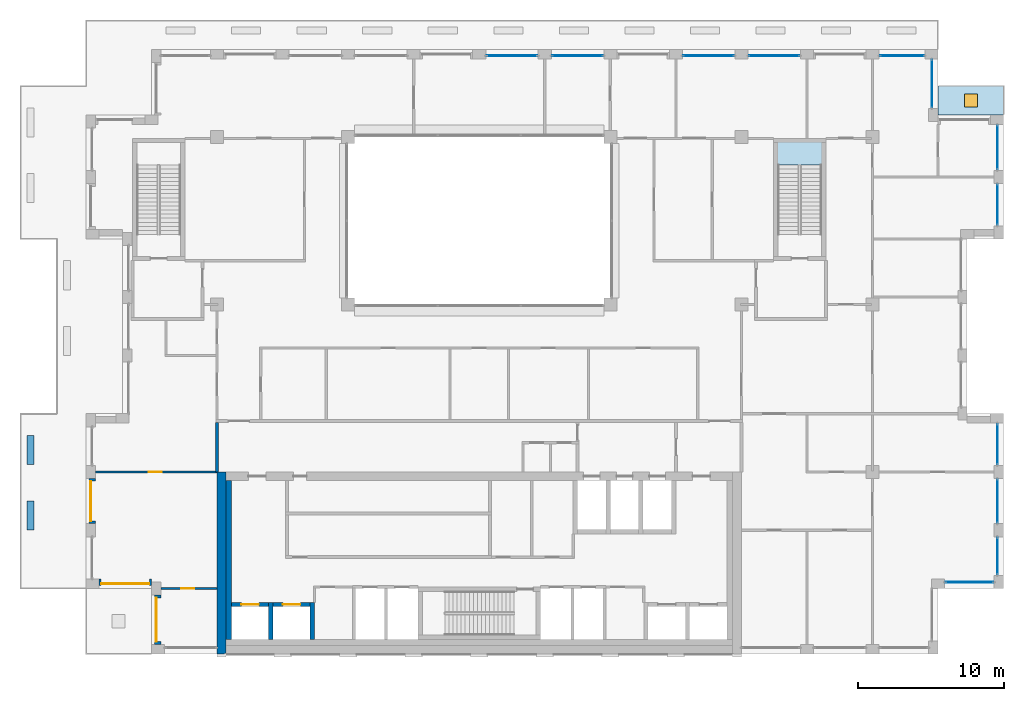
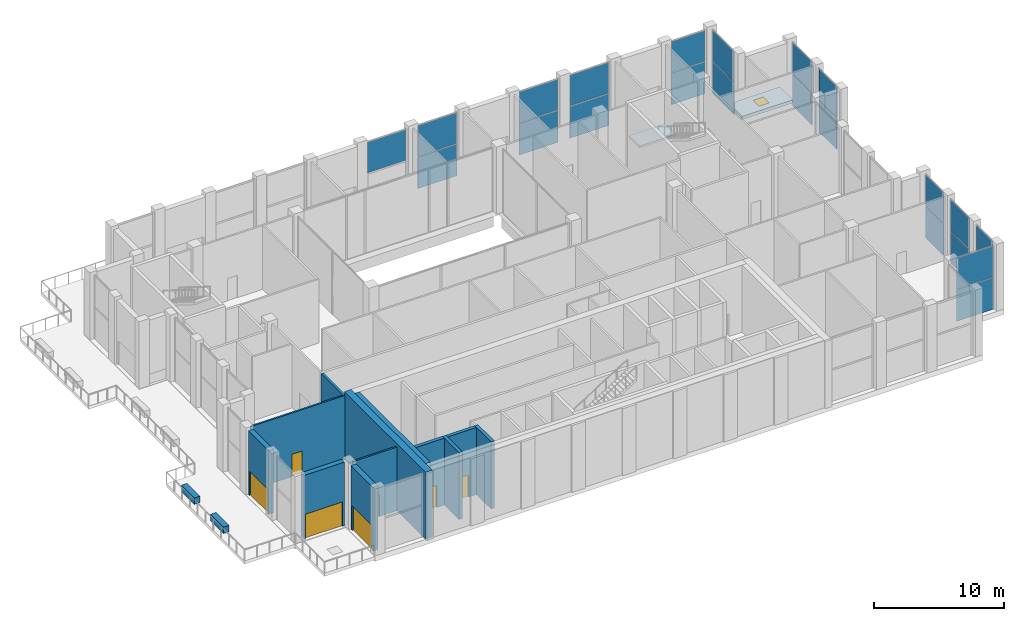
# One storey, part 11 of 18: 23 plates, 14 walls, 7 doors, 2 slabs, 1 window, 8 openings, 13 elements without a shape of their own.
"""IFC4 building model written with IfcOpenShell, lengths in metres."""

from ifc_helpers import new_model, si_unit, direction, frame, frame_2d, origin, origin_2d, place, context, subcontext, project, spatial, polyline, rectangle, outline, extrude, material, layer, layer_set, type_object, element, fill, aggregate, save


model = new_model("IFC4")

# Units and contexts
model_context = context("Model", 3, precision=1e-05, world=origin(), true_north=direction((0.0, 1.0)))
body_context = subcontext(model_context, "Body", "Model", "MODEL_VIEW")
ifc_project = project(units=[si_unit("LENGTHUNIT", "METRE"), si_unit("AREAUNIT", "SQUARE_METRE"), si_unit("VOLUMEUNIT", "CUBIC_METRE"), si_unit("PLANEANGLEUNIT", "RADIAN"), si_unit("MASSUNIT", "GRAM", prefix="KILO")], contexts=[model_context])

# Site, building, storey
site_placement = place(None, origin())
site = spatial("IfcSite", under=ifc_project, at=site_placement, CompositionType="ELEMENT")
building_placement = place(site_placement, origin())
building = spatial("IfcBuilding", under=site, at=building_placement, Name="Brigalow Station Residences", CompositionType="ELEMENT")
storey_placement = place(building_placement, frame((0.0, 0.0, 191.699951171875)))
storey = spatial("IfcBuildingStorey", under=building, at=storey_placement, Name="L55", CompositionType="ELEMENT", Elevation=191.699951171875)

# Curtain wall, plates
ifc_material_1 = material(Name="Aluminium", Category="aluminium")
ifc_layer_1 = layer(ifc_material_1, 0.199951171875)
ifc_layer_set_1 = layer_set([ifc_layer_1], Name="SKY FLOOR GLAZING CURTAIN WALL")
curtain_wall_type = type_object("IfcCurtainWallType", Name="SKY FLOOR GLAZING CURTAIN WALL", PredefinedType="NOTDEFINED", material=ifc_layer_set_1)
curtain_wall_1_placement = place(storey_placement, origin())
curtain_wall_1 = element("IfcCurtainWall", 1, at=curtain_wall_1_placement, inside=storey, type_object=curtain_wall_type, Name="L55/cw/W-L55-7", PredefinedType="NOTDEFINED")
ifc_material_2 = material(Name="Laminated low-emissivity double-glazed unit")
ifc_layer_2 = layer(ifc_material_2, 0.050048828125)
ifc_layer_set_2 = layer_set([ifc_layer_2], Name="SKY FLOOR GLAZING PANEL 50")
plate_type = type_object("IfcPlateType", Name="SKY FLOOR GLAZING PANEL 50", PredefinedType="CURTAIN_PANEL", material=ifc_layer_set_2)
plate_1_placement = place(storey_placement, frame((69.64990234375, 4.925048828125, 0.0), z_axis=(0.0, 0.0, 1.0), x_axis=(1.0, 0.0, 0.0)))
plate_1 = element("IfcPlate", 2, at=plate_1_placement, type_object=plate_type, Name="L55/cw/W-L55-7/P00-00", PredefinedType="CURTAIN_PANEL", context=body_context, shape_type="SweptSolid", body=[
    extrude(rectangle(XDim=3.260009765625, YDim=0.050048828125, at=origin_2d()), origin(), (0.0, 0.0, 1.0), 2.955078125),
])
plate_2_placement = place(storey_placement, frame((69.64990234375, 4.925048828125, 3.02490234375), z_axis=(0.0, 0.0, 1.0), x_axis=(1.0, 0.0, 0.0)))
plate_2 = element("IfcPlate", 3, at=plate_2_placement, type_object=plate_type, Name="L55/cw/W-L55-7/P00-01", PredefinedType="CURTAIN_PANEL", context=body_context, shape_type="SweptSolid", body=[
    extrude(rectangle(XDim=3.260009765625, YDim=0.050048828125, at=origin_2d()), origin(), (0.0, 0.0, 1.0), 2.885009765625),
])
aggregate(curtain_wall_1, [plate_1, plate_2])

curtain_wall_2_placement = place(storey_placement, origin())
curtain_wall_2 = element("IfcCurtainWall", 4, at=curtain_wall_2_placement, inside=storey, type_object=curtain_wall_type, Name="L55/cw/W-L55-8", PredefinedType="NOTDEFINED")
plate_3_placement = place(storey_placement, frame((71.574951171875, 6.72509765625, 0.0), z_axis=(0.0, 0.0, 1.0), x_axis=(0.0, 1.0, 0.0)))
plate_3 = element("IfcPlate", 5, at=plate_3_placement, type_object=plate_type, Name="L55/cw/W-L55-8/P00-00", PredefinedType="CURTAIN_PANEL", context=body_context, shape_type="SweptSolid", body=[
    extrude(rectangle(XDim=2.510009765625, YDim=0.050048828125, at=origin_2d()), origin(), (0.0, 0.0, 1.0), 2.955078125),
])
plate_4_placement = place(storey_placement, frame((71.574951171875, 6.72509765625, 3.02490234375), z_axis=(0.0, 0.0, 1.0), x_axis=(0.0, 1.0, 0.0)))
plate_4 = element("IfcPlate", 6, at=plate_4_placement, type_object=plate_type, Name="L55/cw/W-L55-8/P00-01", PredefinedType="CURTAIN_PANEL", context=body_context, shape_type="SweptSolid", body=[
    extrude(rectangle(XDim=2.510009765625, YDim=0.050048828125, at=origin_2d()), origin(), (0.0, 0.0, 1.0), 2.885009765625),
])
aggregate(curtain_wall_2, [plate_3, plate_4])

curtain_wall_3_placement = place(storey_placement, origin())
curtain_wall_3 = element("IfcCurtainWall", 7, at=curtain_wall_3_placement, inside=storey, type_object=curtain_wall_type, Name="L55/cw/W-L55-9", PredefinedType="NOTDEFINED")
plate_5_placement = place(storey_placement, frame((71.574951171875, 10.5, 0.0), z_axis=(0.0, 0.0, 1.0), x_axis=(0.0, 1.0, 0.0)))
plate_5 = element("IfcPlate", 8, at=plate_5_placement, type_object=plate_type, Name="L55/cw/W-L55-9/P00-00", PredefinedType="CURTAIN_PANEL", context=body_context, shape_type="SweptSolid", body=[
    extrude(rectangle(XDim=2.9599609375, YDim=0.050048828125, at=origin_2d()), origin(), (0.0, 0.0, 1.0), 2.955078125),
])
plate_6_placement = place(storey_placement, frame((71.574951171875, 10.5, 3.02490234375), z_axis=(0.0, 0.0, 1.0), x_axis=(0.0, 1.0, 0.0)))
plate_6 = element("IfcPlate", 9, at=plate_6_placement, type_object=plate_type, Name="L55/cw/W-L55-9/P00-01", PredefinedType="CURTAIN_PANEL", context=body_context, shape_type="SweptSolid", body=[
    extrude(rectangle(XDim=2.9599609375, YDim=0.050048828125, at=origin_2d()), origin(), (0.0, 0.0, 1.0), 2.885009765625),
])
aggregate(curtain_wall_3, [plate_5, plate_6])

curtain_wall_4_placement = place(storey_placement, origin())
curtain_wall_4 = element("IfcCurtainWall", 10, at=curtain_wall_4_placement, inside=storey, type_object=curtain_wall_type, Name="L55/cw/W-L55-10", PredefinedType="NOTDEFINED")
plate_7_placement = place(storey_placement, frame((71.574951171875, 14.39990234375, 0.0), z_axis=(0.0, 0.0, 1.0), x_axis=(0.0, 1.0, 0.0)))
plate_7 = element("IfcPlate", 11, at=plate_7_placement, type_object=plate_type, Name="L55/cw/W-L55-10/P00-00", PredefinedType="CURTAIN_PANEL", context=body_context, shape_type="SweptSolid", body=[
    extrude(rectangle(XDim=2.760009765625, YDim=0.050048828125, at=origin_2d()), origin(), (0.0, 0.0, 1.0), 2.955078125),
])
plate_8_placement = place(storey_placement, frame((71.574951171875, 14.39990234375, 3.02490234375), z_axis=(0.0, 0.0, 1.0), x_axis=(0.0, 1.0, 0.0)))
plate_8 = element("IfcPlate", 12, at=plate_8_placement, type_object=plate_type, Name="L55/cw/W-L55-10/P00-01", PredefinedType="CURTAIN_PANEL", context=body_context, shape_type="SweptSolid", body=[
    extrude(rectangle(XDim=2.760009765625, YDim=0.050048828125, at=origin_2d()), origin(), (0.0, 0.0, 1.0), 2.885009765625),
])
aggregate(curtain_wall_4, [plate_7, plate_8])

curtain_wall_5_placement = place(storey_placement, origin())
curtain_wall_5 = element("IfcCurtainWall", 13, at=curtain_wall_5_placement, inside=storey, type_object=curtain_wall_type, Name="L55/cw/W-L55-16", PredefinedType="NOTDEFINED")
plate_9_placement = place(storey_placement, frame((71.574951171875, 30.85009765625, 0.0), z_axis=(0.0, 0.0, 1.0), x_axis=(0.0, 1.0, 0.0)))
plate_9 = element("IfcPlate", 14, at=plate_9_placement, type_object=plate_type, Name="L55/cw/W-L55-16/P00-00", PredefinedType="CURTAIN_PANEL", context=body_context, shape_type="SweptSolid", body=[
    extrude(rectangle(XDim=2.760009765625, YDim=0.050048828125, at=origin_2d()), origin(), (0.0, 0.0, 1.0), 2.955078125),
])
plate_10_placement = place(storey_placement, frame((71.574951171875, 30.85009765625, 3.02490234375), z_axis=(0.0, 0.0, 1.0), x_axis=(0.0, 1.0, 0.0)))
plate_10 = element("IfcPlate", 15, at=plate_10_placement, type_object=plate_type, Name="L55/cw/W-L55-16/P00-01", PredefinedType="CURTAIN_PANEL", context=body_context, shape_type="SweptSolid", body=[
    extrude(rectangle(XDim=2.760009765625, YDim=0.050048828125, at=origin_2d()), origin(), (0.0, 0.0, 1.0), 2.885009765625),
])
aggregate(curtain_wall_5, [plate_9, plate_10])

curtain_wall_6_placement = place(storey_placement, origin())
curtain_wall_6 = element("IfcCurtainWall", 16, at=curtain_wall_6_placement, inside=storey, type_object=curtain_wall_type, Name="L55/cw/W-L55-17", PredefinedType="NOTDEFINED")
plate_11_placement = place(storey_placement, frame((71.574951171875, 34.77490234375, 0.0), z_axis=(0.0, 0.0, 1.0), x_axis=(0.0, 1.0, 0.0)))
plate_11 = element("IfcPlate", 17, at=plate_11_placement, type_object=plate_type, Name="L55/cw/W-L55-17/P00-00", PredefinedType="CURTAIN_PANEL", context=body_context, shape_type="SweptSolid", body=[
    extrude(rectangle(XDim=3.010009765625, YDim=0.050048828125, at=origin_2d()), origin(), (0.0, 0.0, 1.0), 2.955078125),
])
plate_12_placement = place(storey_placement, frame((71.574951171875, 34.77490234375, 3.02490234375), z_axis=(0.0, 0.0, 1.0), x_axis=(0.0, 1.0, 0.0)))
plate_12 = element("IfcPlate", 18, at=plate_12_placement, type_object=plate_type, Name="L55/cw/W-L55-17/P00-01", PredefinedType="CURTAIN_PANEL", context=body_context, shape_type="SweptSolid", body=[
    extrude(rectangle(XDim=3.010009765625, YDim=0.050048828125, at=origin_2d()), origin(), (0.0, 0.0, 1.0), 2.885009765625),
])
aggregate(curtain_wall_6, [plate_11, plate_12])

curtain_wall_7_placement = place(storey_placement, origin())
curtain_wall_7 = element("IfcCurtainWall", 19, at=curtain_wall_7_placement, inside=storey, type_object=curtain_wall_type, Name="L55/cw/W-L55-19", PredefinedType="NOTDEFINED")
plate_13_placement = place(storey_placement, frame((67.074951171875, 39.14990234375, 0.0), z_axis=(0.0, 0.0, 1.0), x_axis=(0.0, 1.0, 0.0)))
plate_13 = element("IfcPlate", 20, at=plate_13_placement, type_object=plate_type, Name="L55/cw/W-L55-19/P00-00", PredefinedType="CURTAIN_PANEL", context=body_context, shape_type="SweptSolid", body=[
    extrude(rectangle(XDim=3.260009765625, YDim=0.050048828125, at=origin_2d()), origin(), (0.0, 0.0, 1.0), 2.955078125),
])
plate_14_placement = place(storey_placement, frame((67.074951171875, 39.14990234375, 3.02490234375), z_axis=(0.0, 0.0, 1.0), x_axis=(0.0, 1.0, 0.0)))
plate_14 = element("IfcPlate", 21, at=plate_14_placement, type_object=plate_type, Name="L55/cw/W-L55-19/P00-01", PredefinedType="CURTAIN_PANEL", context=body_context, shape_type="SweptSolid", body=[
    extrude(rectangle(XDim=3.260009765625, YDim=0.050048828125, at=origin_2d()), origin(), (0.0, 0.0, 1.0), 2.885009765625),
])
aggregate(curtain_wall_7, [plate_13, plate_14])

curtain_wall_8_placement = place(storey_placement, origin())
curtain_wall_8 = element("IfcCurtainWall", 22, at=curtain_wall_8_placement, inside=storey, type_object=curtain_wall_type, Name="L55/cw/W-L55-20", PredefinedType="NOTDEFINED")
plate_15_placement = place(storey_placement, frame((65.02490234375, 41.074951171875, 0.0), z_axis=(0.0, 0.0, 1.0), x_axis=(-1.0, 0.0, 0.0)))
plate_15 = element("IfcPlate", 23, at=plate_15_placement, type_object=plate_type, Name="L55/cw/W-L55-20/P00-00", PredefinedType="CURTAIN_PANEL", context=body_context, shape_type="SweptSolid", body=[
    extrude(rectangle(XDim=3.010009765625, YDim=0.050048828125, at=origin_2d()), origin(), (0.0, 0.0, 1.0), 2.955078125),
])
plate_16_placement = place(storey_placement, frame((65.02490234375, 41.074951171875, 3.02490234375), z_axis=(0.0, 0.0, 1.0), x_axis=(-1.0, 0.0, 0.0)))
plate_16 = element("IfcPlate", 24, at=plate_16_placement, type_object=plate_type, Name="L55/cw/W-L55-20/P00-01", PredefinedType="CURTAIN_PANEL", context=body_context, shape_type="SweptSolid", body=[
    extrude(rectangle(XDim=3.010009765625, YDim=0.050048828125, at=origin_2d()), origin(), (0.0, 0.0, 1.0), 2.885009765625),
])
aggregate(curtain_wall_8, [plate_15, plate_16])

curtain_wall_9_placement = place(storey_placement, origin())
curtain_wall_9 = element("IfcCurtainWall", 25, at=curtain_wall_9_placement, inside=storey, type_object=curtain_wall_type, Name="L55/cw/W-L55-22", PredefinedType="NOTDEFINED")
plate_17_placement = place(storey_placement, frame((56.25, 41.074951171875, 0.0), z_axis=(0.0, 0.0, 1.0), x_axis=(-1.0, 0.0, 0.0)))
plate_17 = element("IfcPlate", 26, at=plate_17_placement, type_object=plate_type, Name="L55/cw/W-L55-22/P00-00", PredefinedType="CURTAIN_PANEL", context=body_context, shape_type="SweptSolid", body=[
    extrude(rectangle(XDim=3.4599609375, YDim=0.050048828125, at=origin_2d()), origin(), (0.0, 0.0, 1.0), 2.955078125),
])
plate_18_placement = place(storey_placement, frame((56.25, 41.074951171875, 3.02490234375), z_axis=(0.0, 0.0, 1.0), x_axis=(-1.0, 0.0, 0.0)))
plate_18 = element("IfcPlate", 27, at=plate_18_placement, type_object=plate_type, Name="L55/cw/W-L55-22/P00-01", PredefinedType="CURTAIN_PANEL", context=body_context, shape_type="SweptSolid", body=[
    extrude(rectangle(XDim=3.4599609375, YDim=0.050048828125, at=origin_2d()), origin(), (0.0, 0.0, 1.0), 2.885009765625),
])
aggregate(curtain_wall_9, [plate_17, plate_18])

curtain_wall_10_placement = place(storey_placement, origin())
curtain_wall_10 = element("IfcCurtainWall", 28, at=curtain_wall_10_placement, inside=storey, type_object=curtain_wall_type, Name="L55/cw/W-L55-23", PredefinedType="NOTDEFINED")
plate_19_placement = place(storey_placement, frame((51.75, 41.074951171875, 0.0), z_axis=(0.0, 0.0, 1.0), x_axis=(-1.0, 0.0, 0.0)))
plate_19 = element("IfcPlate", 29, at=plate_19_placement, type_object=plate_type, Name="L55/cw/W-L55-23/P00-00", PredefinedType="CURTAIN_PANEL", context=body_context, shape_type="SweptSolid", body=[
    extrude(rectangle(XDim=3.4599609375, YDim=0.050048828125, at=origin_2d()), origin(), (0.0, 0.0, 1.0), 2.955078125),
])
plate_20_placement = place(storey_placement, frame((51.75, 41.074951171875, 3.02490234375), z_axis=(0.0, 0.0, 1.0), x_axis=(-1.0, 0.0, 0.0)))
plate_20 = element("IfcPlate", 30, at=plate_20_placement, type_object=plate_type, Name="L55/cw/W-L55-23/P00-01", PredefinedType="CURTAIN_PANEL", context=body_context, shape_type="SweptSolid", body=[
    extrude(rectangle(XDim=3.4599609375, YDim=0.050048828125, at=origin_2d()), origin(), (0.0, 0.0, 1.0), 2.885009765625),
])
aggregate(curtain_wall_10, [plate_19, plate_20])

curtain_wall_11_placement = place(storey_placement, origin())
curtain_wall_11 = element("IfcCurtainWall", 31, at=curtain_wall_11_placement, inside=storey, type_object=curtain_wall_type, Name="L55/cw/W-L55-25", PredefinedType="NOTDEFINED")
plate_21_placement = place(storey_placement, frame((42.75, 41.074951171875, 0.0), z_axis=(0.0, 0.0, 1.0), x_axis=(-1.0, 0.0, 0.0)))
plate_21 = element("IfcPlate", 32, at=plate_21_placement, type_object=plate_type, Name="L55/cw/W-L55-25/P00-00", PredefinedType="CURTAIN_PANEL", context=body_context, shape_type="SweptSolid", body=[
    extrude(rectangle(XDim=3.4599609375, YDim=0.050048828125, at=origin_2d()), origin(), (0.0, 0.0, 1.0), 2.955078125),
])
plate_22_placement = place(storey_placement, frame((42.75, 41.074951171875, 3.02490234375), z_axis=(0.0, 0.0, 1.0), x_axis=(-1.0, 0.0, 0.0)))
plate_22 = element("IfcPlate", 33, at=plate_22_placement, type_object=plate_type, Name="L55/cw/W-L55-25/P00-01", PredefinedType="CURTAIN_PANEL", context=body_context, shape_type="SweptSolid", body=[
    extrude(rectangle(XDim=3.4599609375, YDim=0.050048828125, at=origin_2d()), origin(), (0.0, 0.0, 1.0), 2.885009765625),
])
aggregate(curtain_wall_11, [plate_21, plate_22])

# Curtain wall, plate
curtain_wall_12_placement = place(storey_placement, origin())
curtain_wall_12 = element("IfcCurtainWall", 34, at=curtain_wall_12_placement, inside=storey, type_object=curtain_wall_type, Name="L55/cw/W-L55-26", PredefinedType="NOTDEFINED")
plate_23_placement = place(storey_placement, frame((38.25, 41.074951171875, 3.02490234375), z_axis=(0.0, 0.0, 1.0), x_axis=(-1.0, 0.0, 0.0)))
plate_23 = element("IfcPlate", 35, at=plate_23_placement, type_object=plate_type, Name="L55/cw/W-L55-26/P00-01", PredefinedType="CURTAIN_PANEL", context=body_context, shape_type="SweptSolid", body=[
    extrude(rectangle(XDim=3.4599609375, YDim=0.050048828125, at=origin_2d()), origin(), (0.0, 0.0, 1.0), 2.885009765625),
])
aggregate(curtain_wall_12, [plate_23])

# Stair, slab
ifc_material_3 = material(Name="Concrete C50", Category="concrete")
stair_type = type_object("IfcStairType", Name="EXIT STAIR 1400 2 FLIGHT", PredefinedType="HALF_TURN_STAIR", material=ifc_material_3)
stair_placement = place(storey_placement, origin())
stair = element("IfcStair", 36, at=stair_placement, inside=storey, type_object=stair_type, Name="EXIT STAIR S3 L55", PredefinedType="HALF_TURN_STAIR")
ifc_material_4 = material(Name="Concrete C50", Category="concrete")
ifc_layer_3 = layer(ifc_material_4, 0.199951171875)
ifc_layer_set_3 = layer_set([ifc_layer_3], Name="STAIR LANDING 200")
slab_type_1 = type_object("IfcSlabType", Name="STAIR LANDING 200", PredefinedType="LANDING", material=ifc_layer_set_3)
slab_1_placement = place(storey_placement, frame((0.0, 0.0, 2.949951171875)))
slab_1 = element("IfcSlab", 37, at=slab_1_placement, type_object=slab_type_1, Name="ST-3 landing 1", PredefinedType="LANDING", context=body_context, shape_type="SweptSolid", body=[
    extrude(outline(polyline([(56.39990234375, 33.56005859375), (59.60009765625, 33.56005859375), (59.60009765625, 35.199951171875), (56.39990234375, 35.199951171875), (56.39990234375, 33.56005859375)])), origin(), (0.0, 0.0, 1.0), 0.2001953125),
])
aggregate(stair, [slab_1])

# Slab, opening, window
ifc_material_5 = material(Name="Concrete C50 precast", Category="concrete")
ifc_layer_4 = layer(ifc_material_5, 0.300048828125)
ifc_layer_set_4 = layer_set([ifc_layer_4], Name="TERRACE SLAB 300")
slab_type_2 = type_object("IfcSlabType", Name="TERRACE SLAB 300", PredefinedType="FLOOR", material=ifc_layer_set_4)
slab_2_placement = place(storey_placement, frame((0.0, 0.0, -0.33984375)))
slab_2 = element("IfcSlab", 38, at=slab_2_placement, inside=storey, type_object=slab_type_2, Name="L55/terrace/3", PredefinedType="FLOOR", context=body_context, shape_type="SweptSolid", body=[
    extrude(outline(polyline([(67.5, 39.0), (67.5, 37.0), (72.0, 37.0), (72.0, 39.0), (67.5, 39.0)])), origin(), (0.0, 0.0, 1.0), 0.2998046875),
])
opening_1_placement = place(slab_2_placement, frame((69.75, 38.0, 0.0)))
opening_1 = element("IfcOpeningElement", 39, at=opening_1_placement, cuts=slab_2, Name="Opening RF-3", PredefinedType="OPENING", context=body_context, shape_type="SweptSolid", body=[
    extrude(rectangle(XDim=0.89990234375, YDim=0.89990234375, at=origin_2d()), origin(), (0.0, 0.0, 1.0), 0.2998046875),
])
ifc_material_6 = material(Name="Laminated walkable glass in an aluminium frame", Category="aluminium")
window_type = type_object("IfcWindowType", Name="TERRACE ROOFLIGHT 900", PartitioningType="SINGLE_PANEL", PredefinedType="SKYLIGHT", material=ifc_material_6)
window_placement = place(opening_1_placement, frame((0.0, 0.0, 0.249755859375)))
window = element("IfcWindow", 40, at=window_placement, inside=storey, type_object=window_type, Name="L55/terrace-rooflight/3", OverallHeight=0.89990234375, OverallWidth=0.89990234375, PartitioningType="SINGLE_PANEL", PredefinedType="SKYLIGHT", context=body_context, shape_type="SweptSolid", body=[
    extrude(rectangle(XDim=0.89990234375, YDim=0.89990234375, at=origin_2d()), origin(), (0.0, 0.0, 1.0), 0.050048828125),
])
fill(opening_1, window)

# Wall, opening, door
ifc_material_7 = material(Name="Clay brick masonry", Category="masonry")
ifc_layer_5 = layer(ifc_material_7, 0.449951171875)
ifc_layer_set_5 = layer_set([ifc_layer_5], Name="BRICK INFILL WALL 450")
wall_type_1 = type_object("IfcWallType", Name="BRICK INFILL WALL 450", PredefinedType="SOLIDWALL", material=ifc_layer_set_5)
wall_1_placement = place(storey_placement, frame((9.425048828125, 12.050048828125, 0.0), z_axis=(0.0, 0.0, 1.0), x_axis=(0.0, -1.0, 0.0)))
wall_1 = element("IfcWall", 41, at=wall_1_placement, inside=storey, type_object=wall_type_1, Name="L55/ewall/W-L55-42", PredefinedType="SOLIDWALL", context=body_context, shape_type="SweptSolid", body=[
    extrude(rectangle(XDim=3.10009765625, YDim=0.449951171875, at=frame_2d((1.550048828125, 0.0))), origin(), (0.0, 0.0, 1.0), 5.97998046875),
])
opening_2_placement = place(wall_1_placement, frame((0.175048828125, 0.0, 0.0)))
opening_2 = element("IfcOpeningElement", 42, at=opening_2_placement, cuts=wall_1, Name="Opening D-B2750", PredefinedType="OPENING", context=body_context, shape_type="SweptSolid", body=[
    extrude(rectangle(XDim=2.75, YDim=2.300048828125, at=frame_2d((1.375, 1.14990234375))), frame((0.0, 0.23486328125, 0.0), z_axis=(0.0, -1.0, 0.0), x_axis=(1.0, 0.0, 0.0)), (0.0, 0.0, 1.0), 0.469970703125),
])
ifc_material_8 = material(Name="Anodised aluminium frame with double glazing", Category="aluminium")
door_type_1 = type_object("IfcDoorType", Name="BALCONY SLIDING DOOR 2750x2300", OperationType="SLIDING_TO_LEFT", PredefinedType="DOOR", material=ifc_material_8)
door_1_placement = place(opening_2_placement, origin())
door_1 = element("IfcDoor", 43, at=door_1_placement, inside=storey, type_object=door_type_1, Name="L55/balcony-door/W-L55-42", OperationType="SLIDING_TO_LEFT", OverallHeight=2.300048828125, OverallWidth=2.75, PredefinedType="DOOR", context=body_context, shape_type="SweptSolid", body=[
    extrude(rectangle(XDim=2.75, YDim=2.300048828125, at=frame_2d((1.375, 1.14990234375))), frame((0.0, -0.06982421875, 0.0), z_axis=(0.0, -1.0, 0.0), x_axis=(1.0, 0.0, 0.0)), (0.0, 0.0, 1.0), 0.050048828125),
])
fill(opening_2, door_1)

wall_2_placement = place(storey_placement, frame((9.89990234375, 4.925048828125, 0.0), z_axis=(0.0, 0.0, 1.0), x_axis=(1.0, 0.0, 0.0)))
wall_2 = element("IfcWall", 44, at=wall_2_placement, inside=storey, type_object=wall_type_1, Name="L55/ewall/W-L55-44", PredefinedType="SOLIDWALL", context=body_context, shape_type="SweptSolid", body=[
    extrude(rectangle(XDim=3.60009765625, YDim=0.449951171875, at=frame_2d((1.800048828125, 0.0))), origin(), (0.0, 0.0, 1.0), 5.97998046875),
])
opening_3_placement = place(wall_2_placement, frame((0.14990234375, 0.0, 0.0)))
opening_3 = element("IfcOpeningElement", 45, at=opening_3_placement, cuts=wall_2, Name="Opening D-B3300", PredefinedType="OPENING", context=body_context, shape_type="SweptSolid", body=[
    extrude(rectangle(XDim=3.300048828125, YDim=2.300048828125, at=frame_2d((1.64990234375, 1.14990234375))), frame((0.0, 0.23486328125, 0.0), z_axis=(0.0, -1.0, 0.0), x_axis=(1.0, 0.0, 0.0)), (0.0, 0.0, 1.0), 0.469970703125),
])
ifc_material_9 = material(Name="Anodised aluminium frame with double glazing", Category="aluminium")
door_type_2 = type_object("IfcDoorType", Name="BALCONY SLIDING DOOR 3300x2300", OperationType="SLIDING_TO_LEFT", PredefinedType="DOOR", material=ifc_material_9)
door_2_placement = place(opening_3_placement, origin())
door_2 = element("IfcDoor", 46, at=door_2_placement, inside=storey, type_object=door_type_2, Name="L55/balcony-door/W-L55-44", OperationType="SLIDING_TO_LEFT", OverallHeight=2.300048828125, OverallWidth=3.300048828125, PredefinedType="DOOR", context=body_context, shape_type="SweptSolid", body=[
    extrude(rectangle(XDim=3.300048828125, YDim=2.300048828125, at=frame_2d((1.64990234375, 1.14990234375))), frame((0.0, -0.06982421875, 0.0), z_axis=(0.0, -1.0, 0.0), x_axis=(1.0, 0.0, 0.0)), (0.0, 0.0, 1.0), 0.050048828125),
])
fill(opening_3, door_2)

wall_3_placement = place(storey_placement, frame((13.925048828125, 4.050048828125, 0.0), z_axis=(0.0, 0.0, 1.0), x_axis=(0.0, -1.0, 0.0)))
wall_3 = element("IfcWall", 47, at=wall_3_placement, inside=storey, type_object=wall_type_1, Name="L55/ewall/W-L55-45", PredefinedType="SOLIDWALL", context=body_context, shape_type="SweptSolid", body=[
    extrude(rectangle(XDim=3.400146484375, YDim=0.449951171875, at=frame_2d((1.7001953125, 0.0))), origin(), (0.0, 0.0, 1.0), 5.97998046875),
])
opening_4_placement = place(wall_3_placement, frame((0.199951171875, 0.0, 0.0)))
opening_4 = element("IfcOpeningElement", 48, at=opening_4_placement, cuts=wall_3, Name="Opening D-B3000", PredefinedType="OPENING", context=body_context, shape_type="SweptSolid", body=[
    extrude(rectangle(XDim=3.0, YDim=2.300048828125, at=frame_2d((1.5, 1.14990234375))), frame((0.0, 0.23486328125, 0.0), z_axis=(0.0, -1.0, 0.0), x_axis=(1.0, 0.0, 0.0)), (0.0, 0.0, 1.0), 0.469970703125),
])
ifc_material_10 = material(Name="Anodised aluminium frame with double glazing", Category="aluminium")
door_type_3 = type_object("IfcDoorType", Name="BALCONY SLIDING DOOR 3000x2300", OperationType="SLIDING_TO_LEFT", PredefinedType="DOOR", material=ifc_material_10)
door_3_placement = place(opening_4_placement, origin())
door_3 = element("IfcDoor", 49, at=door_3_placement, inside=storey, type_object=door_type_3, Name="L55/balcony-door/W-L55-45", OperationType="SLIDING_TO_LEFT", OverallHeight=2.300048828125, OverallWidth=3.0, PredefinedType="DOOR", context=body_context, shape_type="SweptSolid", body=[
    extrude(rectangle(XDim=3.0, YDim=2.300048828125, at=frame_2d((1.5, 1.14990234375))), frame((0.0, -0.06982421875, 0.0), z_axis=(0.0, -1.0, 0.0), x_axis=(1.0, 0.0, 0.0)), (0.0, 0.0, 1.0), 0.050048828125),
])
fill(opening_4, door_3)

ifc_material_11 = material(Name="Concrete C50", Category="concrete")
ifc_layer_6 = layer(ifc_material_11, 0.300048828125)
ifc_layer_set_6 = layer_set([ifc_layer_6], Name="CORE SHEAR WALL 300 C50")
wall_type_2 = type_object("IfcWallType", Name="CORE SHEAR WALL 300 C50", PredefinedType="SHEAR", material=ifc_layer_set_6)
wall_4_placement = place(storey_placement, frame((19.0, 3.39990234375, 0.0), z_axis=(0.0, 0.0, 1.0), x_axis=(1.0, 0.0, 0.0)))
wall_4 = element("IfcWall", 50, at=wall_4_placement, inside=storey, type_object=wall_type_2, Name="CORE WALL SH-C1-N L55", PredefinedType="SHEAR", context=body_context, shape_type="SweptSolid", body=[
    extrude(rectangle(XDim=2.550048828125, YDim=0.300048828125, at=frame_2d((1.27490234375, 0.0))), origin(), (0.0, 0.0, 1.0), 6.300048828125),
])
opening_5_placement = place(wall_4_placement, frame((0.675048828125, 0.0, 0.0)))
opening_5 = element("IfcOpeningElement", 51, at=opening_5_placement, cuts=wall_4, Name="Opening LD-LB1", PredefinedType="OPENING", context=body_context, shape_type="SweptSolid", body=[
    extrude(rectangle(XDim=1.199951171875, YDim=2.10009765625, at=frame_2d((0.60009765625, 1.050048828125))), frame((0.0, 0.16015625, 0.0), z_axis=(0.0, -1.0, 0.0), x_axis=(1.0, 0.0, 0.0)), (0.0, 0.0, 1.0), 0.320068359375),
])
ifc_material_12 = material(Name="Stainless steel sliding door leaves", Category="steel")
door_type_4 = type_object("IfcDoorType", Name="LIFT LANDING DOOR 1200 x 2100", OperationType="DOUBLE_DOOR_SLIDING", PredefinedType="DOOR", material=ifc_material_12)
door_4_placement = place(opening_5_placement, origin())
door_4 = element("IfcDoor", 52, at=door_4_placement, inside=storey, type_object=door_type_4, Name="LANDING DOOR LB1", OperationType="DOUBLE_DOOR_SLIDING", OverallHeight=2.10009765625, OverallWidth=1.199951171875, PredefinedType="DOOR", context=body_context, shape_type="SweptSolid", body=[
    extrude(rectangle(XDim=1.199951171875, YDim=2.10009765625, at=frame_2d((0.60009765625, 1.050048828125))), frame((0.0, 0.02490234375, 0.0), z_axis=(0.0, -1.0, 0.0), x_axis=(1.0, 0.0, 0.0)), (0.0, 0.0, 1.0), 0.050048828125),
])
fill(opening_5, door_4)

wall_5_placement = place(storey_placement, frame((21.85009765625, 3.39990234375, 0.0), z_axis=(0.0, 0.0, 1.0), x_axis=(1.0, 0.0, 0.0)))
wall_5 = element("IfcWall", 53, at=wall_5_placement, inside=storey, type_object=wall_type_2, Name="CORE WALL SH-C2-N L55", PredefinedType="SHEAR", context=body_context, shape_type="SweptSolid", body=[
    extrude(rectangle(XDim=2.5498046875, YDim=0.300048828125, at=frame_2d((1.27490234375, 0.0))), origin(), (0.0, 0.0, 1.0), 6.300048828125),
])
opening_6_placement = place(wall_5_placement, frame((0.675048828125, 0.0, 0.0)))
opening_6 = element("IfcOpeningElement", 54, at=opening_6_placement, cuts=wall_5, Name="Opening LD-LB2", PredefinedType="OPENING", context=body_context, shape_type="SweptSolid", body=[
    extrude(rectangle(XDim=1.199951171875, YDim=2.10009765625, at=frame_2d((0.60009765625, 1.050048828125))), frame((0.0, 0.16015625, 0.0), z_axis=(0.0, -1.0, 0.0), x_axis=(1.0, 0.0, 0.0)), (0.0, 0.0, 1.0), 0.320068359375),
])
door_5_placement = place(opening_6_placement, origin())
door_5 = element("IfcDoor", 55, at=door_5_placement, inside=storey, type_object=door_type_4, Name="LANDING DOOR LB2", OperationType="DOUBLE_DOOR_SLIDING", OverallHeight=2.10009765625, OverallWidth=1.199951171875, PredefinedType="DOOR", context=body_context, shape_type="SweptSolid", body=[
    extrude(rectangle(XDim=1.199951171875, YDim=2.10009765625, at=frame_2d((0.60009765625, 1.050048828125))), frame((0.0, 0.02490234375, 0.0), z_axis=(0.0, -1.0, 0.0), x_axis=(1.0, 0.0, 0.0)), (0.0, 0.0, 1.0), 0.050048828125),
])
fill(opening_6, door_5)

# Walls
for number, where, z_axis, x_axis, name in (
    (56, (21.699951171875, 1.0, 0.0), (0.0, 0.0, 1.0), (0.0, 1.0, 0.0), "CORE WALL SH-C2-W L55"),
    (57, (24.550048828125, 1.0, 0.0), (0.0, 0.0, 1.0), (0.0, 1.0, 0.0), "CORE WALL SH-C2-E L55"),
):
    element("IfcWall", number, at=place(storey_placement, frame(where, z_axis=z_axis, x_axis=x_axis)), inside=storey, type_object=wall_type_2, Name=name, PredefinedType="SHEAR", context=body_context, shape_type="SweptSolid", body=[
        extrude(rectangle(XDim=2.550048828125, YDim=0.300048828125, at=frame_2d((1.27490234375, 0.0))), origin(), (0.0, 0.0, 1.0), 6.300048828125),
    ])
ifc_material_13 = material(Name="Concrete C50", Category="concrete")
ifc_layer_7 = layer(ifc_material_13, 0.39990234375)
ifc_layer_set_7 = layer_set([ifc_layer_7], Name="CORE SHEAR WALL 400 C50")
wall_type_3 = type_object("IfcWallType", Name="CORE SHEAR WALL 400 C50", PredefinedType="SHEAR", material=ifc_layer_set_7)
wall_6_placement = place(storey_placement, frame((18.800048828125, 1.0, 0.0), z_axis=(0.0, 0.0, 1.0), x_axis=(0.0, 1.0, 0.0)))
element("IfcWall", 58, at=wall_6_placement, inside=storey, type_object=wall_type_3, Name="CORE WALL LIN-W L55", PredefinedType="SHEAR", context=body_context, shape_type="SweptSolid", body=[
    extrude(rectangle(XDim=10.89990234375, YDim=0.39990234375, at=frame_2d((5.449951171875, 0.0))), origin(), (0.0, 0.0, 1.0), 6.300048828125),
])
ifc_material_14 = material(Name="Concrete C50", Category="concrete")
ifc_layer_8 = layer(ifc_material_14, 0.60009765625)
ifc_layer_set_8 = layer_set([ifc_layer_8], Name="CORE SHEAR WALL 600 C50")
wall_type_4 = type_object("IfcWallType", Name="CORE SHEAR WALL 600 C50", PredefinedType="SHEAR", material=ifc_layer_set_8)
wall_7_placement = place(storey_placement, frame((18.300048828125, 0.0, 0.0), z_axis=(0.0, 0.0, 1.0), x_axis=(0.0, 1.0, 0.0)))
element("IfcWall", 59, at=wall_7_placement, inside=storey, type_object=wall_type_4, Name="CORE WALL OUT-W L55", PredefinedType="SHEAR", context=body_context, shape_type="SweptSolid", body=[
    extrude(rectangle(XDim=12.5, YDim=0.60009765625, at=frame_2d((6.25, 0.0))), origin(), (0.0, 0.0, 1.0), 6.300048828125),
])
ifc_material_15 = material(Name="Concrete blockwork", Category="masonry")
ifc_layer_9 = layer(ifc_material_15, 0.199951171875)
ifc_layer_set_9 = layer_set([ifc_layer_9], Name="FIRE RATED CORE PARTITION 200")
wall_type_5 = type_object("IfcWallType", Name="FIRE RATED CORE PARTITION 200", PredefinedType="PARTITIONING", material=ifc_layer_set_9)
wall_8_placement = place(storey_placement, frame((18.0, 12.5, 0.0), z_axis=(0.0, 0.0, 1.0), x_axis=(0.0, 1.0, 0.0)))
element("IfcWall", 60, at=wall_8_placement, inside=storey, type_object=wall_type_5, Name="PW-5013", PredefinedType="PARTITIONING", context=body_context, shape_type="SweptSolid", body=[
    extrude(rectangle(XDim=3.39990234375, YDim=0.199951171875, at=frame_2d((1.699951171875, 0.0))), origin(), (0.0, 0.0, 1.0), 5.97998046875),
])

# Wall, opening, door
ifc_material_16 = material(Name="Plasterboard on steel stud partition", Category="steel")
ifc_layer_10 = layer(ifc_material_16, 0.14990234375)
ifc_layer_set_10 = layer_set([ifc_layer_10], Name="FLAT PARTITION 150")
wall_type_6 = type_object("IfcWallType", Name="FLAT PARTITION 150", PredefinedType="PARTITIONING", material=ifc_layer_set_10)
wall_9_placement = place(storey_placement, frame((9.64990234375, 12.5, 0.0), z_axis=(0.0, 0.0, 1.0), x_axis=(1.0, 0.0, 0.0)))
wall_9 = element("IfcWall", 61, at=wall_9_placement, inside=storey, type_object=wall_type_6, Name="PW-SA211", PredefinedType="PARTITIONING", context=body_context, shape_type="SweptSolid", body=[
    extrude(rectangle(XDim=8.35009765625, YDim=0.14990234375, at=frame_2d((4.175048828125, 0.0))), origin(), (0.0, 0.0, 1.0), 5.97998046875),
])
opening_7_placement = place(wall_9_placement, frame((3.64990234375, 0.0, 0.0)))
opening_7 = element("IfcOpeningElement", 62, at=opening_7_placement, cuts=wall_9, Name="Opening D-SA214", PredefinedType="OPENING", context=body_context, shape_type="SweptSolid", body=[
    extrude(rectangle(XDim=0.89990234375, YDim=2.10009765625, at=frame_2d((0.449951171875, 1.050048828125))), frame((0.0, 0.0849609375, 0.0), z_axis=(0.0, -1.0, 0.0), x_axis=(1.0, 0.0, 0.0)), (0.0, 0.0, 1.0), 0.169921875),
])
ifc_material_17 = material(Name="Solid-core timber door leaf", Category="wood")
door_type_5 = type_object("IfcDoorType", Name="INTERNAL DOOR 900 x 2100", OperationType="SINGLE_SWING_LEFT", PredefinedType="DOOR", material=ifc_material_17)
door_6_placement = place(opening_7_placement, origin())
door_6 = element("IfcDoor", 63, at=door_6_placement, inside=storey, type_object=door_type_5, Name="D-SA214", OperationType="SINGLE_SWING_LEFT", OverallHeight=2.10009765625, OverallWidth=0.89990234375, PredefinedType="DOOR", context=body_context, shape_type="SweptSolid", body=[
    extrude(rectangle(XDim=0.89990234375, YDim=2.10009765625, at=frame_2d((0.449951171875, 1.050048828125))), frame((0.0, 0.02490234375, 0.0), z_axis=(0.0, -1.0, 0.0), x_axis=(1.0, 0.0, 0.0)), (0.0, 0.0, 1.0), 0.050048828125),
])
fill(opening_7, door_6)

wall_10_placement = place(storey_placement, frame((14.14990234375, 4.5, 0.0), z_axis=(0.0, 0.0, 1.0), x_axis=(1.0, 0.0, 0.0)))
wall_10 = element("IfcWall", 64, at=wall_10_placement, inside=storey, type_object=wall_type_6, Name="PW-SA213", PredefinedType="PARTITIONING", context=body_context, shape_type="SweptSolid", body=[
    extrude(rectangle(XDim=3.85009765625, YDim=0.14990234375, at=frame_2d((1.925048828125, 0.0))), origin(), (0.0, 0.0, 1.0), 5.97998046875),
])
opening_8_placement = place(wall_10_placement, frame((1.39990234375, 0.0, 0.0)))
opening_8 = element("IfcOpeningElement", 65, at=opening_8_placement, cuts=wall_10, Name="Opening D-SA215", PredefinedType="OPENING", context=body_context, shape_type="SweptSolid", body=[
    extrude(rectangle(XDim=0.89990234375, YDim=2.10009765625, at=frame_2d((0.449951171875, 1.050048828125))), frame((0.0, 0.0849609375, 0.0), z_axis=(0.0, -1.0, 0.0), x_axis=(1.0, 0.0, 0.0)), (0.0, 0.0, 1.0), 0.169921875),
])
door_7_placement = place(opening_8_placement, frame((0.89990234375, 0.0, 0.0), z_axis=(0.0, 0.0, 1.0), x_axis=(-1.0, 0.0, 0.0)))
door_7 = element("IfcDoor", 66, at=door_7_placement, inside=storey, type_object=door_type_5, Name="D-SA215", OperationType="SINGLE_SWING_RIGHT", OverallHeight=2.10009765625, OverallWidth=0.89990234375, PredefinedType="DOOR", context=body_context, shape_type="SweptSolid", body=[
    extrude(rectangle(XDim=0.89990234375, YDim=2.10009765625, at=frame_2d((0.449951171875, 1.050048828125))), frame((0.0, 0.02490234375, 0.0), z_axis=(0.0, -1.0, 0.0), x_axis=(1.0, 0.0, 0.0)), (0.0, 0.0, 1.0), 0.050048828125),
])
fill(opening_8, door_7)

# Walls
ifc_material_18 = material(Name="Concrete C50 precast", Category="concrete")
ifc_layer_11 = layer(ifc_material_18, 0.5)
ifc_layer_set_11 = layer_set([ifc_layer_11], Name="PLANTER 500x600")
wall_type_7 = type_object("IfcWallType", Name="PLANTER 500x600", PredefinedType="USERDEFINED", material=ifc_layer_set_11)
for number, where, z_axis, x_axis, name in (
    (67, (5.199951171875, 15.0, -0.0400390625), (0.0, 0.0, 1.0), (0.0, -1.0, 0.0), "L55/planter/1-17"),
    (68, (5.199951171875, 10.5, -0.0400390625), (0.0, 0.0, 1.0), (0.0, -1.0, 0.0), "L55/planter/1-18"),
):
    element("IfcWall", number, at=place(storey_placement, frame(where, z_axis=z_axis, x_axis=x_axis)), inside=storey, type_object=wall_type_7, Name=name, ObjectType="PLANTER", PredefinedType="USERDEFINED", context=body_context, shape_type="SweptSolid", body=[
        extrude(rectangle(XDim=2.0, YDim=0.5, at=frame_2d((1.0, 0.0))), origin(), (0.0, 0.0, 1.0), 0.60009765625),
    ])

save(model, "model.ifc")
